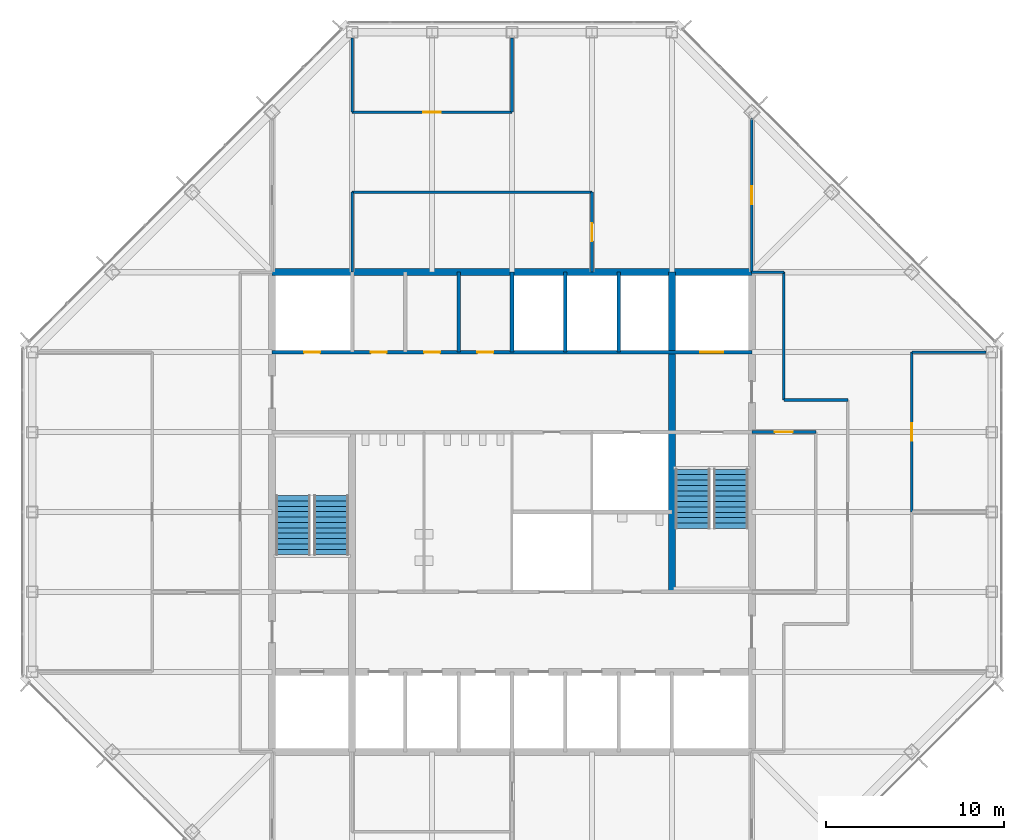
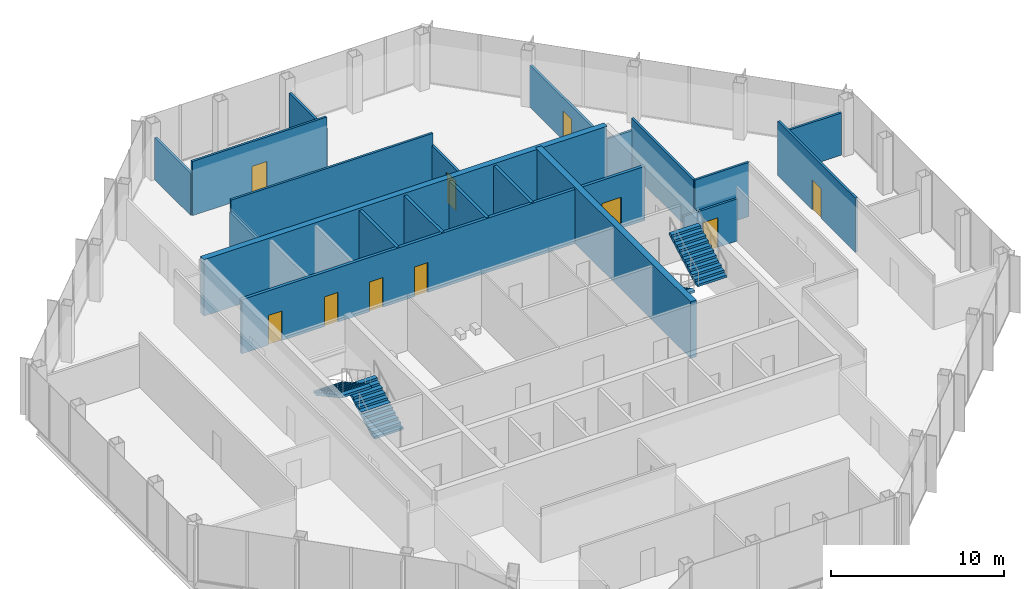
# One storey, part 11 of 13: 20 walls, 10 doors, 4 stair flights, 10 openings, 2 elements without a shape of their own.
"""IFC4 building model written with IfcOpenShell, lengths in metres."""

from ifc_helpers import new_model, si_unit, direction, frame, frame_2d, origin, place, context, subcontext, project, spatial, polyline, rectangle, outline, extrude, material, layer, layer_set, type_object, element, fill, aggregate, save


model = new_model("IFC4")

# Units and contexts
model_context = context("Model", 3, precision=1e-05, world=origin(), true_north=direction((0.0, 1.0)))
body_context = subcontext(model_context, "Body", "Model", "MODEL_VIEW")
ifc_project = project(units=[si_unit("LENGTHUNIT", "METRE"), si_unit("AREAUNIT", "SQUARE_METRE"), si_unit("VOLUMEUNIT", "CUBIC_METRE"), si_unit("PLANEANGLEUNIT", "RADIAN"), si_unit("MASSUNIT", "GRAM", prefix="KILO")], contexts=[model_context])

# Site, building, storey
site_placement = place(None, origin())
site = spatial("IfcSite", under=ifc_project, at=site_placement, CompositionType="ELEMENT")
building_placement = place(site_placement, origin())
building = spatial("IfcBuilding", under=site, at=building_placement, Name="Corais Broadcast Tower", CompositionType="ELEMENT")
storey_placement = place(building_placement, frame((0.0, 0.0, 210.60009765625)))
storey = spatial("IfcBuildingStorey", under=building, at=storey_placement, Name="L48", CompositionType="ELEMENT", Elevation=210.60009765625)

# Walls
ifc_material_1 = material(Name="Concrete C50/60", Category="concrete")
ifc_layer_1 = layer(ifc_material_1, 0.39990234375)
ifc_layer_set_1 = layer_set([ifc_layer_1], Name="Concrete C50/60")
wall_type_1 = type_object("IfcWallType", Name="Core wall 400", PredefinedType="SHEAR", material=ifc_layer_set_1)
wall_1_placement = place(storey_placement, frame((40.5, 40.5, 0.0), z_axis=(0.0, 0.0, 1.0), x_axis=(-1.0, 0.0, 0.0)))
element("IfcWall", 1, at=wall_1_placement, inside=storey, type_object=wall_type_1, Name="CR400 core wall N L48", PredefinedType="SHEAR", context=body_context, shape_type="SweptSolid", body=[
    extrude(rectangle(XDim=27.0, YDim=0.39990234375, at=frame_2d((13.5, 0.0))), origin(), (0.0, 0.0, 1.0), 4.0),
])
wall_2_placement = place(storey_placement, frame((36.0, 22.5, 0.0), z_axis=(0.0, 0.0, 1.0), x_axis=(0.0, 1.0, 0.0)))
element("IfcWall", 2, at=wall_2_placement, inside=storey, type_object=wall_type_1, Name="CR400 core wall X36B L48", PredefinedType="SHEAR", context=body_context, shape_type="SweptSolid", body=[
    extrude(rectangle(XDim=18.0, YDim=0.39990234375, at=frame_2d((9.0, 0.0))), origin(), (0.0, 0.0, 1.0), 4.0),
])

# Wall, openings, doors
ifc_material_2 = material(Name="Concrete blockwork class A, grouted, four-hour", Category="masonry")
ifc_layer_2 = layer(ifc_material_2, 0.199951171875)
ifc_layer_set_2 = layer_set([ifc_layer_2], Name="Concrete blockwork class A, grouted, four-hour")
wall_type_2 = type_object("IfcWallType", Name="Emergency lift shaft wall 200", PredefinedType="SOLIDWALL", material=ifc_layer_set_2)
wall_3_placement = place(storey_placement, frame((13.5, 36.0, 0.0), z_axis=(0.0, 0.0, 1.0), x_axis=(1.0, 0.0, 0.0)))
wall_3 = element("IfcWall", 3, at=wall_3_placement, inside=storey, type_object=wall_type_2, Name="LS3 core lobby wall Y36 L48", PredefinedType="SOLIDWALL", context=body_context, shape_type="SweptSolid", body=[
    extrude(rectangle(XDim=27.0, YDim=0.199951171875, at=frame_2d((13.5, 0.0))), origin(), (0.0, 0.0, 1.0), 3.83984375),
])
opening_1_placement = place(wall_3_placement, frame((1.800048828125, 0.0, 0.0)))
opening_1 = element("IfcOpeningElement", 4, at=opening_1_placement, cuts=wall_3, Name="Opening RD1", PredefinedType="OPENING", context=body_context, shape_type="SweptSolid", body=[
    extrude(rectangle(XDim=0.89990234375, YDim=2.10009765625, at=frame_2d((0.449951171875, 1.050048828125))), frame((0.0, 0.10986328125, 0.0), z_axis=(0.0, -1.0, 0.0), x_axis=(1.0, 0.0, 0.0)), (0.0, 0.0, 1.0), 0.219970703125),
])
opening_2_placement = place(wall_3_placement, frame((5.550048828125, 0.0, 0.0)))
opening_2 = element("IfcOpeningElement", 5, at=opening_2_placement, cuts=wall_3, Name="Opening RD1", PredefinedType="OPENING", context=body_context, shape_type="SweptSolid", body=[
    extrude(rectangle(XDim=0.89990234375, YDim=2.10009765625, at=frame_2d((0.449951171875, 1.050048828125))), frame((0.0, 0.10986328125, 0.0), z_axis=(0.0, -1.0, 0.0), x_axis=(1.0, 0.0, 0.0)), (0.0, 0.0, 1.0), 0.219970703125),
])
opening_3_placement = place(wall_3_placement, frame((8.550048828125, 0.0, 0.0)))
opening_3 = element("IfcOpeningElement", 6, at=opening_3_placement, cuts=wall_3, Name="Opening RD1", PredefinedType="OPENING", context=body_context, shape_type="SweptSolid", body=[
    extrude(rectangle(XDim=0.89990234375, YDim=2.10009765625, at=frame_2d((0.449951171875, 1.050048828125))), frame((0.0, 0.10986328125, 0.0), z_axis=(0.0, -1.0, 0.0), x_axis=(1.0, 0.0, 0.0)), (0.0, 0.0, 1.0), 0.219970703125),
])
opening_4_placement = place(wall_3_placement, frame((11.550048828125, 0.0, 0.0)))
opening_4 = element("IfcOpeningElement", 7, at=opening_4_placement, cuts=wall_3, Name="Opening RD1", PredefinedType="OPENING", context=body_context, shape_type="SweptSolid", body=[
    extrude(rectangle(XDim=0.89990234375, YDim=2.10009765625, at=frame_2d((0.449951171875, 1.050048828125))), frame((0.0, 0.10986328125, 0.0), z_axis=(0.0, -1.0, 0.0), x_axis=(1.0, 0.0, 0.0)), (0.0, 0.0, 1.0), 0.219970703125),
])
opening_5_placement = place(wall_3_placement, frame((24.10009765625, 0.0, 0.0)))
opening_5 = element("IfcOpeningElement", 8, at=opening_5_placement, cuts=wall_3, Name="Opening LD2", PredefinedType="OPENING", context=body_context, shape_type="SweptSolid", body=[
    extrude(rectangle(XDim=1.300048828125, YDim=2.199951171875, at=frame_2d((0.64990234375, 1.10009765625))), frame((0.0, 0.10986328125, 0.0), z_axis=(0.0, -1.0, 0.0), x_axis=(1.0, 0.0, 0.0)), (0.0, 0.0, 1.0), 0.219970703125),
])
ifc_material_3 = material(Name="Stainless steel lift door", Category="steel")
door_type_1 = type_object("IfcDoorType", Name="Lift landing door 1300x2200", OperationType="SLIDING_TO_LEFT", PredefinedType="DOOR", material=ifc_material_3)
door_1_placement = place(opening_5_placement, origin())
door_1 = element("IfcDoor", 9, at=door_1_placement, inside=storey, type_object=door_type_1, Name="LD2 FL2 landing door L48", OperationType="SLIDING_TO_LEFT", OverallHeight=2.199951171875, OverallWidth=1.300048828125, PredefinedType="DOOR", context=body_context, shape_type="SweptSolid", body=[
    extrude(rectangle(XDim=1.300048828125, YDim=2.199951171875, at=frame_2d((0.64990234375, 1.10009765625))), frame((0.0, 0.02490234375, 0.0), z_axis=(0.0, -1.0, 0.0), x_axis=(1.0, 0.0, 0.0)), (0.0, 0.0, 1.0), 0.050048828125),
])
fill(opening_5, door_1)
ifc_material_4 = material(Name="Steel fire door", Category="steel")
door_type_2 = type_object("IfcDoorType", Name="Riser door 900x2100", OperationType="SINGLE_SWING_LEFT", PredefinedType="DOOR", material=ifc_material_4)
door_2_placement = place(opening_1_placement, origin())
door_2 = element("IfcDoor", 10, at=door_2_placement, inside=storey, type_object=door_type_2, Name="RD1 riser door L48", OperationType="SINGLE_SWING_LEFT", OverallHeight=2.10009765625, OverallWidth=0.89990234375, PredefinedType="DOOR", context=body_context, shape_type="SweptSolid", body=[
    extrude(rectangle(XDim=0.89990234375, YDim=2.10009765625, at=frame_2d((0.449951171875, 1.050048828125))), frame((0.0, 0.02490234375, 0.0), z_axis=(0.0, -1.0, 0.0), x_axis=(1.0, 0.0, 0.0)), (0.0, 0.0, 1.0), 0.050048828125),
])
fill(opening_1, door_2)
door_3_placement = place(opening_2_placement, origin())
door_3 = element("IfcDoor", 11, at=door_3_placement, inside=storey, type_object=door_type_2, Name="RD1 media store door L48", OperationType="SINGLE_SWING_LEFT", OverallHeight=2.10009765625, OverallWidth=0.89990234375, PredefinedType="DOOR", context=body_context, shape_type="SweptSolid", body=[
    extrude(rectangle(XDim=0.89990234375, YDim=2.10009765625, at=frame_2d((0.449951171875, 1.050048828125))), frame((0.0, 0.02490234375, 0.0), z_axis=(0.0, -1.0, 0.0), x_axis=(1.0, 0.0, 0.0)), (0.0, 0.0, 1.0), 0.050048828125),
])
fill(opening_2, door_3)
door_4_placement = place(opening_3_placement, origin())
door_4 = element("IfcDoor", 12, at=door_4_placement, inside=storey, type_object=door_type_2, Name="RD1 tea point door L48", OperationType="SINGLE_SWING_LEFT", OverallHeight=2.10009765625, OverallWidth=0.89990234375, PredefinedType="DOOR", context=body_context, shape_type="SweptSolid", body=[
    extrude(rectangle(XDim=0.89990234375, YDim=2.10009765625, at=frame_2d((0.449951171875, 1.050048828125))), frame((0.0, 0.02490234375, 0.0), z_axis=(0.0, -1.0, 0.0), x_axis=(1.0, 0.0, 0.0)), (0.0, 0.0, 1.0), 0.050048828125),
])
fill(opening_3, door_4)
door_5_placement = place(opening_4_placement, origin())
door_5 = element("IfcDoor", 13, at=door_5_placement, inside=storey, type_object=door_type_2, Name="RD1 locker room door L48", OperationType="SINGLE_SWING_LEFT", OverallHeight=2.10009765625, OverallWidth=0.89990234375, PredefinedType="DOOR", context=body_context, shape_type="SweptSolid", body=[
    extrude(rectangle(XDim=0.89990234375, YDim=2.10009765625, at=frame_2d((0.449951171875, 1.050048828125))), frame((0.0, 0.02490234375, 0.0), z_axis=(0.0, -1.0, 0.0), x_axis=(1.0, 0.0, 0.0)), (0.0, 0.0, 1.0), 0.050048828125),
])
fill(opening_4, door_5)

# Walls
ifc_material_5 = material(Name="Gypsum board on steel studs", Category="steel")
ifc_layer_3 = layer(ifc_material_5, 0.14990234375)
ifc_layer_set_3 = layer_set([ifc_layer_3], Name="Gypsum board on steel studs")
wall_type_3 = type_object("IfcWallType", Name="Partition 150", PredefinedType="PARTITIONING", material=ifc_layer_set_3)
wall_4_placement = place(storey_placement, frame((42.300048828125, 33.300048828125, 0.0), z_axis=(0.0, 0.0, 1.0), x_axis=(0.0, 1.0, 0.0)))
element("IfcWall", 14, at=wall_4_placement, inside=storey, type_object=wall_type_3, Name="IW3 corridor wall L48", PredefinedType="PARTITIONING", context=body_context, shape_type="SweptSolid", body=[
    extrude(rectangle(XDim=7.199951171875, YDim=0.14990234375, at=frame_2d((3.60009765625, 0.0))), origin(), (0.0, 0.0, 1.0), 3.83984375),
])
wall_5_placement = place(storey_placement, frame((45.89990234375, 33.300048828125, 0.0), z_axis=(0.0, 0.0, 1.0), x_axis=(-1.0, 0.0, 0.0)))
element("IfcWall", 15, at=wall_5_placement, inside=storey, type_object=wall_type_3, Name="IW3 corridor wall L48", PredefinedType="PARTITIONING", context=body_context, shape_type="SweptSolid", body=[
    extrude(rectangle(XDim=3.599853515625, YDim=0.14990234375, at=frame_2d((1.7998046875, 0.0))), origin(), (0.0, 0.0, 1.0), 3.83984375),
])
wall_6_placement = place(storey_placement, frame((42.300048828125, 40.5, 0.0), z_axis=(0.0, 0.0, 1.0), x_axis=(-1.0, 0.0, 0.0)))
element("IfcWall", 16, at=wall_6_placement, inside=storey, type_object=wall_type_3, Name="IW3 corridor wall L48", PredefinedType="PARTITIONING", context=body_context, shape_type="SweptSolid", body=[
    extrude(rectangle(XDim=1.81005859375, YDim=0.14990234375, at=frame_2d((0.905029296875, 0.0))), origin(), (0.0, 0.0, 1.0), 2.989013671875),
])
wall_7_placement = place(storey_placement, frame((53.6650390625, 36.0, 0.0), z_axis=(0.0, 0.0, 1.0), x_axis=(-1.0, 0.0, 0.0)))
element("IfcWall", 17, at=wall_7_placement, inside=storey, type_object=wall_type_3, Name="IW3 partition L48", PredefinedType="PARTITIONING", context=body_context, shape_type="SweptSolid", body=[
    extrude(rectangle(XDim=4.1650390625, YDim=0.14990234375, at=frame_2d((2.08251953125, 0.0))), origin(), (0.0, 0.0, 1.0), 2.989013671875),
])

# Wall, opening, door
wall_8_placement = place(storey_placement, frame((49.5, 36.0, 0.0), z_axis=(0.0, 0.0, 1.0), x_axis=(0.0, -1.0, 0.0)))
wall_8 = element("IfcWall", 18, at=wall_8_placement, inside=storey, type_object=wall_type_3, Name="IW3 partition L48", PredefinedType="PARTITIONING", context=body_context, shape_type="SweptSolid", body=[
    extrude(rectangle(XDim=9.0, YDim=0.14990234375, at=frame_2d((4.5, 0.0))), origin(), (0.0, 0.0, 1.0), 3.83984375),
])
opening_6_placement = place(wall_8_placement, frame((4.0, 0.0, 0.0)))
opening_6 = element("IfcOpeningElement", 19, at=opening_6_placement, cuts=wall_8, Name="Opening D1", PredefinedType="OPENING", context=body_context, shape_type="SweptSolid", body=[
    extrude(rectangle(XDim=1.0, YDim=2.10009765625, at=frame_2d((0.5, 1.050048828125))), frame((0.0, 0.0849609375, 0.0), z_axis=(0.0, -1.0, 0.0), x_axis=(1.0, 0.0, 0.0)), (0.0, 0.0, 1.0), 0.169921875),
])
ifc_material_6 = material(Name="Timber door", Category="wood")
door_type_3 = type_object("IfcDoorType", Name="Single door 1000x2100", OperationType="SINGLE_SWING_LEFT", PredefinedType="DOOR", material=ifc_material_6)
door_6_placement = place(opening_6_placement, origin())
door_6 = element("IfcDoor", 20, at=door_6_placement, inside=storey, type_object=door_type_3, Name="D1 Members lounge door", OperationType="SINGLE_SWING_LEFT", OverallHeight=2.10009765625, OverallWidth=1.0, PredefinedType="DOOR", context=body_context, shape_type="SweptSolid", body=[
    extrude(rectangle(XDim=1.0, YDim=2.10009765625, at=frame_2d((0.5, 1.050048828125))), frame((0.0, 0.02490234375, 0.0), z_axis=(0.0, -1.0, 0.0), x_axis=(1.0, 0.0, 0.0)), (0.0, 0.0, 1.0), 0.050048828125),
])
fill(opening_6, door_6)

wall_9_placement = place(storey_placement, frame((31.5, 40.5, 0.0), z_axis=(0.0, 0.0, 1.0), x_axis=(0.0, 1.0, 0.0)))
wall_9 = element("IfcWall", 21, at=wall_9_placement, inside=storey, type_object=wall_type_3, Name="IW3 partition L48", PredefinedType="PARTITIONING", context=body_context, shape_type="SweptSolid", body=[
    extrude(rectangle(XDim=4.5, YDim=0.14990234375, at=frame_2d((2.25, 0.0))), origin(), (0.0, 0.0, 1.0), 2.989013671875),
])
opening_7_placement = place(wall_9_placement, frame((1.75, 0.0, 0.0)))
opening_7 = element("IfcOpeningElement", 22, at=opening_7_placement, cuts=wall_9, Name="Opening D1", PredefinedType="OPENING", context=body_context, shape_type="SweptSolid", body=[
    extrude(rectangle(XDim=1.0, YDim=2.10009765625, at=frame_2d((0.5, 1.050048828125))), frame((0.0, 0.0849609375, 0.0), z_axis=(0.0, -1.0, 0.0), x_axis=(1.0, 0.0, 0.0)), (0.0, 0.0, 1.0), 0.169921875),
])
door_7_placement = place(opening_7_placement, origin())
door_7 = element("IfcDoor", 23, at=door_7_placement, inside=storey, type_object=door_type_3, Name="D1 Games room door", OperationType="SINGLE_SWING_LEFT", OverallHeight=2.10009765625, OverallWidth=1.0, PredefinedType="DOOR", context=body_context, shape_type="SweptSolid", body=[
    extrude(rectangle(XDim=1.0, YDim=2.10009765625, at=frame_2d((0.5, 1.050048828125))), frame((0.0, 0.02490234375, 0.0), z_axis=(0.0, -1.0, 0.0), x_axis=(1.0, 0.0, 0.0)), (0.0, 0.0, 1.0), 0.050048828125),
])
fill(opening_7, door_7)

# Walls
wall_10_placement = place(storey_placement, frame((31.5, 45.0, 0.0), z_axis=(0.0, 0.0, 1.0), x_axis=(-1.0, 0.0, 0.0)))
element("IfcWall", 24, at=wall_10_placement, inside=storey, type_object=wall_type_3, Name="IW3 partition L48", PredefinedType="PARTITIONING", context=body_context, shape_type="SweptSolid", body=[
    extrude(rectangle(XDim=13.5, YDim=0.14990234375, at=frame_2d((6.75, 0.0))), origin(), (0.0, 0.0, 1.0), 3.83984375),
])
wall_11_placement = place(storey_placement, frame((18.0, 45.0, 0.0), z_axis=(0.0, 0.0, 1.0), x_axis=(0.0, -1.0, 0.0)))
element("IfcWall", 25, at=wall_11_placement, inside=storey, type_object=wall_type_3, Name="IW3 partition L48", PredefinedType="PARTITIONING", context=body_context, shape_type="SweptSolid", body=[
    extrude(rectangle(XDim=4.5, YDim=0.14990234375, at=frame_2d((2.25, 0.0))), origin(), (0.0, 0.0, 1.0), 2.989013671875),
])

# Wall, opening, door
wall_12_placement = place(storey_placement, frame((44.10009765625, 31.5, 0.0), z_axis=(0.0, 0.0, 1.0), x_axis=(-1.0, 0.0, 0.0)))
wall_12 = element("IfcWall", 26, at=wall_12_placement, inside=storey, type_object=wall_type_3, Name="IW3 partition L48", PredefinedType="PARTITIONING", context=body_context, shape_type="SweptSolid", body=[
    extrude(rectangle(XDim=3.60009765625, YDim=0.14990234375, at=frame_2d((1.800048828125, 0.0))), origin(), (0.0, 0.0, 1.0), 2.989013671875),
])
opening_8_placement = place(wall_12_placement, frame((1.300048828125, 0.0, 0.0)))
opening_8 = element("IfcOpeningElement", 27, at=opening_8_placement, cuts=wall_12, Name="Opening D1", PredefinedType="OPENING", context=body_context, shape_type="SweptSolid", body=[
    extrude(rectangle(XDim=1.0, YDim=2.10009765625, at=frame_2d((0.5, 1.050048828125))), frame((0.0, 0.0849609375, 0.0), z_axis=(0.0, -1.0, 0.0), x_axis=(1.0, 0.0, 0.0)), (0.0, 0.0, 1.0), 0.169921875),
])
door_8_placement = place(opening_8_placement, origin())
door_8 = element("IfcDoor", 28, at=door_8_placement, inside=storey, type_object=door_type_3, Name="D1 Pantry door", OperationType="SINGLE_SWING_LEFT", OverallHeight=2.10009765625, OverallWidth=1.0, PredefinedType="DOOR", context=body_context, shape_type="SweptSolid", body=[
    extrude(rectangle(XDim=1.0, YDim=2.10009765625, at=frame_2d((0.5, 1.050048828125))), frame((0.0, 0.02490234375, 0.0), z_axis=(0.0, -1.0, 0.0), x_axis=(1.0, 0.0, 0.0)), (0.0, 0.0, 1.0), 0.050048828125),
])
fill(opening_8, door_8)

wall_13_placement = place(storey_placement, frame((18.0, 49.5, 0.0), z_axis=(0.0, 0.0, 1.0), x_axis=(1.0, 0.0, 0.0)))
wall_13 = element("IfcWall", 29, at=wall_13_placement, inside=storey, type_object=wall_type_3, Name="IW3 partition L48", PredefinedType="PARTITIONING", context=body_context, shape_type="SweptSolid", body=[
    extrude(rectangle(XDim=9.0, YDim=0.14990234375, at=frame_2d((4.5, 0.0))), origin(), (0.0, 0.0, 1.0), 3.83984375),
])
opening_9_placement = place(wall_13_placement, frame((4.0, 0.0, 0.0)))
opening_9 = element("IfcOpeningElement", 30, at=opening_9_placement, cuts=wall_13, Name="Opening D1", PredefinedType="OPENING", context=body_context, shape_type="SweptSolid", body=[
    extrude(rectangle(XDim=1.0, YDim=2.10009765625, at=frame_2d((0.5, 1.050048828125))), frame((0.0, 0.0849609375, 0.0), z_axis=(0.0, -1.0, 0.0), x_axis=(1.0, 0.0, 0.0)), (0.0, 0.0, 1.0), 0.169921875),
])
door_9_placement = place(opening_9_placement, origin())
door_9 = element("IfcDoor", 31, at=door_9_placement, inside=storey, type_object=door_type_3, Name="D1 Wellness room door", OperationType="SINGLE_SWING_LEFT", OverallHeight=2.10009765625, OverallWidth=1.0, PredefinedType="DOOR", context=body_context, shape_type="SweptSolid", body=[
    extrude(rectangle(XDim=1.0, YDim=2.10009765625, at=frame_2d((0.5, 1.050048828125))), frame((0.0, 0.02490234375, 0.0), z_axis=(0.0, -1.0, 0.0), x_axis=(1.0, 0.0, 0.0)), (0.0, 0.0, 1.0), 0.050048828125),
])
fill(opening_9, door_9)

# Walls
for number, where, z_axis, x_axis, name in (
    (32, (27.0, 49.5, 0.0), (0.0, 0.0, 1.0), (0.0, 1.0, 0.0), "IW3 partition L48"),
    (33, (18.0, 53.6650390625, 0.0), (0.0, 0.0, 1.0), (0.0, -1.0, 0.0), "IW3 partition L48"),
):
    element("IfcWall", number, at=place(storey_placement, frame(where, z_axis=z_axis, x_axis=x_axis)), inside=storey, type_object=wall_type_3, Name=name, PredefinedType="PARTITIONING", context=body_context, shape_type="SweptSolid", body=[
        extrude(rectangle(XDim=4.1650390625, YDim=0.14990234375, at=frame_2d((2.08251953125, 0.0))), origin(), (0.0, 0.0, 1.0), 2.989013671875),
    ])

# Wall, opening, door
wall_14_placement = place(storey_placement, frame((40.5, 49.155029296875, 0.0), z_axis=(0.0, 0.0, 1.0), x_axis=(0.0, -1.0, 0.0)))
wall_14 = element("IfcWall", 34, at=wall_14_placement, inside=storey, type_object=wall_type_3, Name="IW3 partition L48", PredefinedType="PARTITIONING", context=body_context, shape_type="SweptSolid", body=[
    extrude(rectangle(XDim=8.655029296875, YDim=0.14990234375, at=frame_2d((4.32763671875, 0.0))), origin(), (0.0, 0.0, 1.0), 2.989013671875),
])
opening_10_placement = place(wall_14_placement, frame((3.827392578125, 0.0, 0.0)))
opening_10 = element("IfcOpeningElement", 35, at=opening_10_placement, cuts=wall_14, Name="Opening D1", PredefinedType="OPENING", context=body_context, shape_type="SweptSolid", body=[
    extrude(rectangle(XDim=1.0, YDim=2.10009765625, at=frame_2d((0.5, 1.050048828125))), frame((0.0, 0.0849609375, 0.0), z_axis=(0.0, -1.0, 0.0), x_axis=(1.0, 0.0, 0.0)), (0.0, 0.0, 1.0), 0.169921875),
])
door_10_placement = place(opening_10_placement, origin())
door_10 = element("IfcDoor", 36, at=door_10_placement, inside=storey, type_object=door_type_3, Name="D1 team room door L48", OperationType="SINGLE_SWING_LEFT", OverallHeight=2.10009765625, OverallWidth=1.0, PredefinedType="DOOR", context=body_context, shape_type="SweptSolid", body=[
    extrude(rectangle(XDim=1.0, YDim=2.10009765625, at=frame_2d((0.5, 1.050048828125))), frame((0.0, 0.02490234375, 0.0), z_axis=(0.0, -1.0, 0.0), x_axis=(1.0, 0.0, 0.0)), (0.0, 0.0, 1.0), 0.050048828125),
])
fill(opening_10, door_10)

# Walls
ifc_material_7 = material(Name="Concrete blockwork class A, grouted, two-hour", Category="masonry")
ifc_layer_4 = layer(ifc_material_7, 0.199951171875)
ifc_layer_set_4 = layer_set([ifc_layer_4], Name="Concrete blockwork class A, grouted, two-hour")
wall_type_4 = type_object("IfcWallType", Name="Shaft wall 200", PredefinedType="PARTITIONING", material=ifc_layer_set_4)
for number, where, z_axis, x_axis, name in (
    (37, (24.0, 36.0, 0.0), (0.0, 0.0, 1.0), (0.0, 1.0, 0.0), "IW1 shaft wall L48"),
    (38, (27.0, 36.0, 0.0), (0.0, 0.0, 1.0), (0.0, 1.0, 0.0), "IW1 shaft wall L48"),
    (39, (30.0, 36.0, 0.0), (0.0, 0.0, 1.0), (0.0, 1.0, 0.0), "IW1 shaft wall L48"),
    (40, (33.0, 36.0, 0.0), (0.0, 0.0, 1.0), (0.0, 1.0, 0.0), "IW1 shaft wall L48"),
):
    element("IfcWall", number, at=place(storey_placement, frame(where, z_axis=z_axis, x_axis=x_axis)), inside=storey, type_object=wall_type_4, Name=name, PredefinedType="PARTITIONING", context=body_context, shape_type="SweptSolid", body=[
        extrude(rectangle(XDim=4.5, YDim=0.199951171875, at=frame_2d((2.25, 0.0))), origin(), (0.0, 0.0, 1.0), 3.83984375),
    ])

# Stair, stair flights
ifc_material_8 = material(Name="Concrete C30/37", Category="concrete")
stair_type = type_object("IfcStairType", Name="Half-turn stair 4000", PredefinedType="HALF_TURN_STAIR", material=ifc_material_8)
stair_1_placement = place(storey_placement, origin())
stair_1 = element("IfcStair", 41, at=stair_1_placement, inside=storey, type_object=stair_type, Name="Stair A L48", PredefinedType="HALF_TURN_STAIR")
ifc_material_9 = material(Name="Concrete C30/37", Category="concrete")
stair_flight_type = type_object("IfcStairFlightType", Name="Stair flight 4000", PredefinedType="STRAIGHT", material=ifc_material_9)
stair_flight_1_placement = place(storey_placement, frame((16.824951171875, 24.60009765625, 0.0), z_axis=(0.0, 0.0, 1.0), x_axis=(0.0, 1.0, 0.0)))
stair_flight_1 = element("IfcStairFlight", 42, at=stair_flight_1_placement, type_object=stair_flight_type, Name="STA flight 1", NumberOfRisers=12, NumberOfTreads=11, PredefinedType="STRAIGHT", RiserHeight=0.166666667, TreadLength=0.302, context=body_context, shape_type="SweptSolid", body=[
    extrude(outline(polyline([(0.0, 0.0), (0.0, 0.166748046875), (0.302001953125, 0.166748046875), (0.302001953125, 0.333251953125), (0.60400390625, 0.333251953125), (0.60400390625, 0.5), (0.906005859375, 0.5), (0.906005859375, 0.666748046875), (1.2080078125, 0.666748046875), (1.2080078125, 0.833251953125), (1.510009765625, 0.833251953125), (1.510009765625, 1.0), (1.81201171875, 1.0), (1.81201171875, 1.166748046875), (2.114013671875, 1.166748046875), (2.114013671875, 1.333251953125), (2.416015625, 1.333251953125), (2.416015625, 1.5), (2.718017578125, 1.5), (2.718017578125, 1.666748046875), (3.02001953125, 1.666748046875), (3.02001953125, 1.833251953125), (3.322021484375, 1.833251953125), (3.322021484375, 2.0), (3.322021484375, 1.662109375), (0.310302734375, 0.0), (0.0, 0.0)])), frame((0.0, 0.97509765625, 0.0), z_axis=(0.0, -1.0, 0.0), x_axis=(1.0, 0.0, 0.0)), (0.0, 0.0, 1.0), 1.949951171875),
])
stair_flight_2_placement = place(storey_placement, frame((14.675048828125, 27.922119140625, 2.0), z_axis=(0.0, 0.0, 1.0), x_axis=(0.0, -1.0, 0.0)))
stair_flight_2 = element("IfcStairFlight", 43, at=stair_flight_2_placement, type_object=stair_flight_type, Name="STA flight 2", NumberOfRisers=12, NumberOfTreads=11, PredefinedType="STRAIGHT", RiserHeight=0.166666667, TreadLength=0.302, context=body_context, shape_type="SweptSolid", body=[
    extrude(outline(polyline([(0.0, 0.0), (0.0, 0.166748046875), (0.302001953125, 0.166748046875), (0.302001953125, 0.333251953125), (0.60400390625, 0.333251953125), (0.60400390625, 0.5), (0.906005859375, 0.5), (0.906005859375, 0.666748046875), (1.2080078125, 0.666748046875), (1.2080078125, 0.833251953125), (1.510009765625, 0.833251953125), (1.510009765625, 1.0), (1.81201171875, 1.0), (1.81201171875, 1.166748046875), (2.114013671875, 1.166748046875), (2.114013671875, 1.333251953125), (2.416015625, 1.333251953125), (2.416015625, 1.5), (2.718017578125, 1.5), (2.718017578125, 1.666748046875), (3.02001953125, 1.666748046875), (3.02001953125, 1.833251953125), (3.322021484375, 1.833251953125), (3.322021484375, 2.0), (3.322021484375, 1.662109375), (0.310302734375, 0.0), (0.0, 0.0)])), frame((0.0, 0.97509765625, 0.0), z_axis=(0.0, -1.0, 0.0), x_axis=(1.0, 0.0, 0.0)), (0.0, 0.0, 1.0), 1.949951171875),
])
aggregate(stair_1, [stair_flight_1, stair_flight_2])

stair_2_placement = place(storey_placement, origin())
stair_2 = element("IfcStair", 44, at=stair_2_placement, inside=storey, type_object=stair_type, Name="Stair B L48", PredefinedType="HALF_TURN_STAIR")
stair_flight_3_placement = place(storey_placement, frame((37.175048828125, 29.39990234375, 0.0), z_axis=(0.0, 0.0, 1.0), x_axis=(0.0, -1.0, 0.0)))
stair_flight_3 = element("IfcStairFlight", 45, at=stair_flight_3_placement, type_object=stair_flight_type, Name="STB flight 1", NumberOfRisers=12, NumberOfTreads=11, PredefinedType="STRAIGHT", RiserHeight=0.166666667, TreadLength=0.302, context=body_context, shape_type="SweptSolid", body=[
    extrude(outline(polyline([(0.0, 0.0), (0.0, 0.166748046875), (0.302001953125, 0.166748046875), (0.302001953125, 0.333251953125), (0.60400390625, 0.333251953125), (0.60400390625, 0.5), (0.906005859375, 0.5), (0.906005859375, 0.666748046875), (1.2080078125, 0.666748046875), (1.2080078125, 0.833251953125), (1.510009765625, 0.833251953125), (1.510009765625, 1.0), (1.81201171875, 1.0), (1.81201171875, 1.166748046875), (2.114013671875, 1.166748046875), (2.114013671875, 1.333251953125), (2.416015625, 1.333251953125), (2.416015625, 1.5), (2.718017578125, 1.5), (2.718017578125, 1.666748046875), (3.02001953125, 1.666748046875), (3.02001953125, 1.833251953125), (3.322021484375, 1.833251953125), (3.322021484375, 2.0), (3.322021484375, 1.662109375), (0.310302734375, 0.0), (0.0, 0.0)])), frame((0.0, 0.97509765625, 0.0), z_axis=(0.0, -1.0, 0.0), x_axis=(1.0, 0.0, 0.0)), (0.0, 0.0, 1.0), 1.949951171875),
])
stair_flight_4_placement = place(storey_placement, frame((39.324951171875, 26.077880859375, 2.0), z_axis=(0.0, 0.0, 1.0), x_axis=(0.0, 1.0, 0.0)))
stair_flight_4 = element("IfcStairFlight", 46, at=stair_flight_4_placement, type_object=stair_flight_type, Name="STB flight 2", NumberOfRisers=12, NumberOfTreads=11, PredefinedType="STRAIGHT", RiserHeight=0.166666667, TreadLength=0.302, context=body_context, shape_type="SweptSolid", body=[
    extrude(outline(polyline([(0.0, 0.0), (0.0, 0.166748046875), (0.302001953125, 0.166748046875), (0.302001953125, 0.333251953125), (0.60400390625, 0.333251953125), (0.60400390625, 0.5), (0.906005859375, 0.5), (0.906005859375, 0.666748046875), (1.2080078125, 0.666748046875), (1.2080078125, 0.833251953125), (1.510009765625, 0.833251953125), (1.510009765625, 1.0), (1.81201171875, 1.0), (1.81201171875, 1.166748046875), (2.114013671875, 1.166748046875), (2.114013671875, 1.333251953125), (2.416015625, 1.333251953125), (2.416015625, 1.5), (2.718017578125, 1.5), (2.718017578125, 1.666748046875), (3.02001953125, 1.666748046875), (3.02001953125, 1.833251953125), (3.322021484375, 1.833251953125), (3.322021484375, 2.0), (3.322021484375, 1.662109375), (0.310302734375, 0.0), (0.0, 0.0)])), frame((0.0, 0.97509765625, 0.0), z_axis=(0.0, -1.0, 0.0), x_axis=(1.0, 0.0, 0.0)), (0.0, 0.0, 1.0), 1.949951171875),
])
aggregate(stair_2, [stair_flight_3, stair_flight_4])

save(model, "model.ifc")
